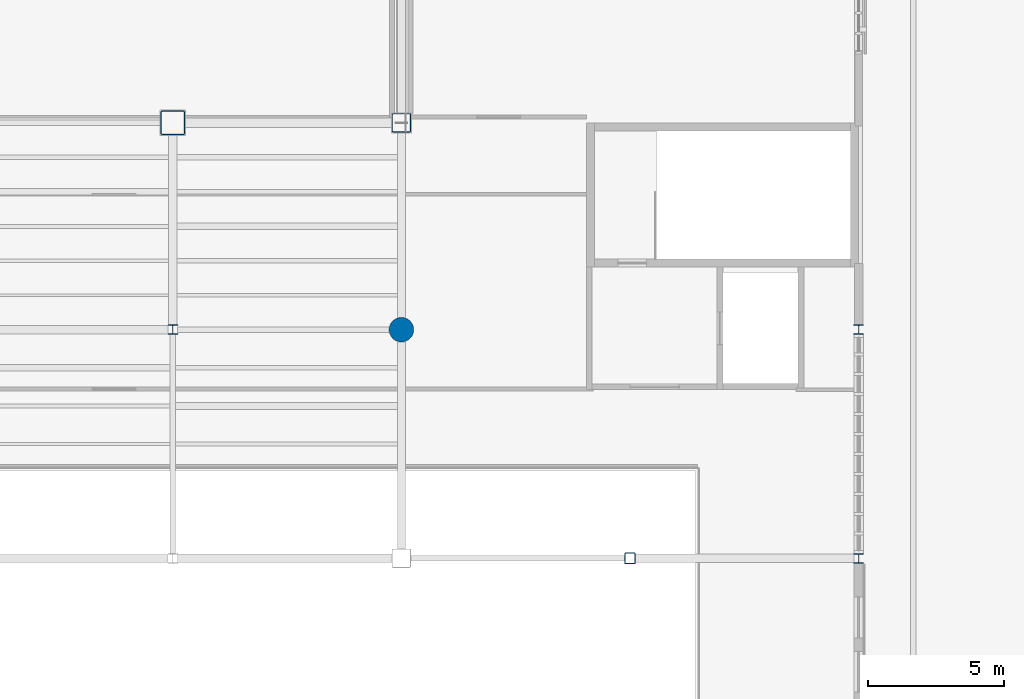
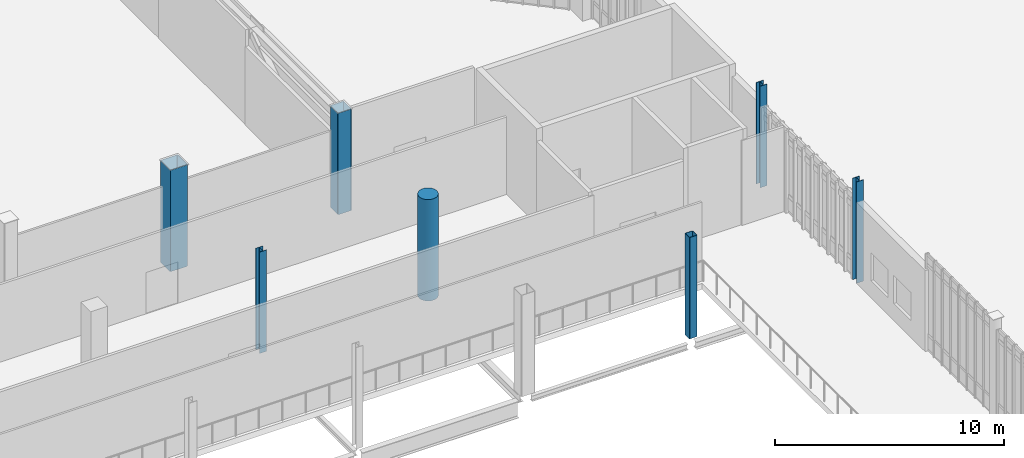
# One storey, part 5 of 135: 7 columns.
"""IFC4 building model written with IfcOpenShell, lengths in metres."""

from ifc_helpers import new_model, si_unit, direction, frame, origin, origin_2d, place, context, subcontext, project, spatial, hollow_rectangle, circle, i_section, extrude, material, material_profile, profile_set, type_object, element, save


model = new_model("IFC4")

# Units and contexts
model_context = context("Model", 3, precision=1e-05, world=origin(), true_north=direction((0.0, 1.0)))
body_context = subcontext(model_context, "Body", "Model", "MODEL_VIEW")
ifc_project = project(units=[si_unit("LENGTHUNIT", "METRE"), si_unit("AREAUNIT", "SQUARE_METRE"), si_unit("VOLUMEUNIT", "CUBIC_METRE"), si_unit("PLANEANGLEUNIT", "RADIAN"), si_unit("MASSUNIT", "GRAM", prefix="KILO")], contexts=[model_context])

# Site, building, storey
site_placement = place(None, origin())
site = spatial("IfcSite", under=ifc_project, at=site_placement, CompositionType="ELEMENT")
building_placement = place(site_placement, origin())
building = spatial("IfcBuilding", under=site, at=building_placement, Name="Larkvane Passage Sports Hall", CompositionType="ELEMENT")
storey_placement = place(building_placement, frame((0.0, 0.0, 16.800048828125)))
storey = spatial("IfcBuildingStorey", under=building, at=storey_placement, Name="L03", CompositionType="ELEMENT", Elevation=16.800048828125)

# Columns
ifc_material_1 = material(Name="Concrete C50/60", Category="concrete")
ifc_material_profile_1 = material_profile(ifc_material_1, circle(Radius=0.449951171875, at=origin_2d()), Name="RC-CIR-900")
ifc_profile_set_1 = profile_set([ifc_material_profile_1], Name="Concrete C50/60")
column_type_1 = type_object("IfcColumnType", Name="COL-CIR-900", PredefinedType="COLUMN", material=ifc_profile_set_1)
column_1_placement = place(storey_placement, frame((76.800048828125, 84.0, 0.0), z_axis=(0.0, 0.0, 1.0), x_axis=(1.0, 0.0, 0.0)))
element("IfcColumn", 1, at=column_1_placement, inside=storey, type_object=column_type_1, Name="Column 11/K L03", PredefinedType="COLUMN", context=body_context, shape_type="SweptSolid", body=[
    extrude(circle(Radius=0.449951171875, at=origin_2d()), origin(), (0.0, 0.0, 1.0), 5.39990234375),
])
ifc_material_2 = material(Name="Steel S460N", Category="steel")
ifc_material_profile_2 = material_profile(ifc_material_2, hollow_rectangle(XDim=0.699951171875, YDim=0.699951171875, WallThickness=0.028076171875, InnerFilletRadius=0.028076171875, OuterFilletRadius=0.055908203125, at=origin_2d()), Name="BOX-700x700x28")
ifc_profile_set_2 = profile_set([ifc_material_profile_2], Name="Steel S460N")
column_type_2 = type_object("IfcColumnType", Name="COL-STL-BOX700", PredefinedType="COLUMN", material=ifc_profile_set_2)
column_2_placement = place(storey_placement, frame((76.800048828125, 91.60009765625, 0.0), z_axis=(0.0, 0.0, 1.0), x_axis=(1.0, 0.0, 0.0)))
element("IfcColumn", 2, at=column_2_placement, inside=storey, type_object=column_type_2, Name="Column 11/L L03", PredefinedType="COLUMN", context=body_context, shape_type="SweptSolid", body=[
    extrude(hollow_rectangle(XDim=0.699951171875, YDim=0.699951171875, WallThickness=0.028076171875, InnerFilletRadius=0.028076171875, OuterFilletRadius=0.055908203125, at=origin_2d()), origin(), (0.0, 0.0, 1.0), 5.39990234375),
])
ifc_material_profile_3 = material_profile(ifc_material_2, hollow_rectangle(XDim=0.89990234375, YDim=0.89990234375, WallThickness=0.035888671875, InnerFilletRadius=0.035888671875, OuterFilletRadius=0.072021484375, at=origin_2d()), Name="BOX-900x900x36")
ifc_profile_set_3 = profile_set([ifc_material_profile_3], Name="Steel S460N")
column_type_3 = type_object("IfcColumnType", Name="COL-STL-BOX900", PredefinedType="COLUMN", material=ifc_profile_set_3)
column_3_placement = place(storey_placement, frame((68.39990234375, 91.60009765625, 0.0), z_axis=(0.0, 0.0, 1.0), x_axis=(1.0, 0.0, 0.0)))
element("IfcColumn", 3, at=column_3_placement, inside=storey, type_object=column_type_3, Name="Column 10/L L03", PredefinedType="COLUMN", context=body_context, shape_type="SweptSolid", body=[
    extrude(hollow_rectangle(XDim=0.89990234375, YDim=0.89990234375, WallThickness=0.035888671875, InnerFilletRadius=0.035888671875, OuterFilletRadius=0.072021484375, at=origin_2d()), origin(), (0.0, 0.0, 1.0), 5.39990234375),
])
ifc_material_3 = material(Name="Steel S355JR", Category="steel")
ifc_material_profile_4 = material_profile(ifc_material_3, i_section(OverallWidth=0.35009765625, OverallDepth=0.35009765625, WebThickness=0.011962890625, FlangeThickness=0.01904296875, FilletRadius=0.012939453125, at=origin_2d()), Name="H-350x350x12x19")
ifc_profile_set_4 = profile_set([ifc_material_profile_4], Name="Steel S355JR")
column_type_4 = type_object("IfcColumnType", Name="COL-STL-H350", PredefinedType="COLUMN", material=ifc_profile_set_4)
for number, where, z_axis, x_axis, name in (
    (4, (68.39990234375, 84.0, 0.0), (0.0, 0.0, 1.0), (1.0, 0.0, 0.0), "Column 10/K L03"),
    (5, (93.60009765625, 75.60009765625, 0.0), (0.0, 0.0, 1.0), (1.0, 0.0, 0.0), "Column 13/J L03"),
    (6, (93.60009765625, 84.0, 0.0), (0.0, 0.0, 1.0), (1.0, 0.0, 0.0), "Column 13/K L03"),
):
    element("IfcColumn", number, at=place(storey_placement, frame(where, z_axis=z_axis, x_axis=x_axis)), inside=storey, type_object=column_type_4, Name=name, PredefinedType="COLUMN", context=body_context, shape_type="SweptSolid", body=[
        extrude(i_section(OverallWidth=0.35009765625, OverallDepth=0.35009765625, WebThickness=0.011962890625, FlangeThickness=0.01904296875, FilletRadius=0.012939453125, at=origin_2d()), origin(), (0.0, 0.0, 1.0), 5.39990234375),
    ])
ifc_material_profile_5 = material_profile(ifc_material_2, hollow_rectangle(XDim=0.39990234375, YDim=0.39990234375, WallThickness=0.01904296875, InnerFilletRadius=0.01904296875, OuterFilletRadius=0.0380859375, at=origin_2d()), Name="SHS-400x400x19")
ifc_profile_set_5 = profile_set([ifc_material_profile_5], Name="Steel S460N")
column_type_5 = type_object("IfcColumnType", Name="COL-STL-SHS400", PredefinedType="COLUMN", material=ifc_profile_set_5)
column_4_placement = place(storey_placement, frame((85.199951171875, 75.60009765625, 0.0), z_axis=(0.0, 0.0, 1.0), x_axis=(1.0, 0.0, 0.0)))
element("IfcColumn", 7, at=column_4_placement, inside=storey, type_object=column_type_5, Name="Column 12/J L03", PredefinedType="COLUMN", context=body_context, shape_type="SweptSolid", body=[
    extrude(hollow_rectangle(XDim=0.39990234375, YDim=0.39990234375, WallThickness=0.01904296875, InnerFilletRadius=0.01904296875, OuterFilletRadius=0.0380859375, at=origin_2d()), origin(), (0.0, 0.0, 1.0), 5.39990234375),
])

save(model, "model.ifc")
